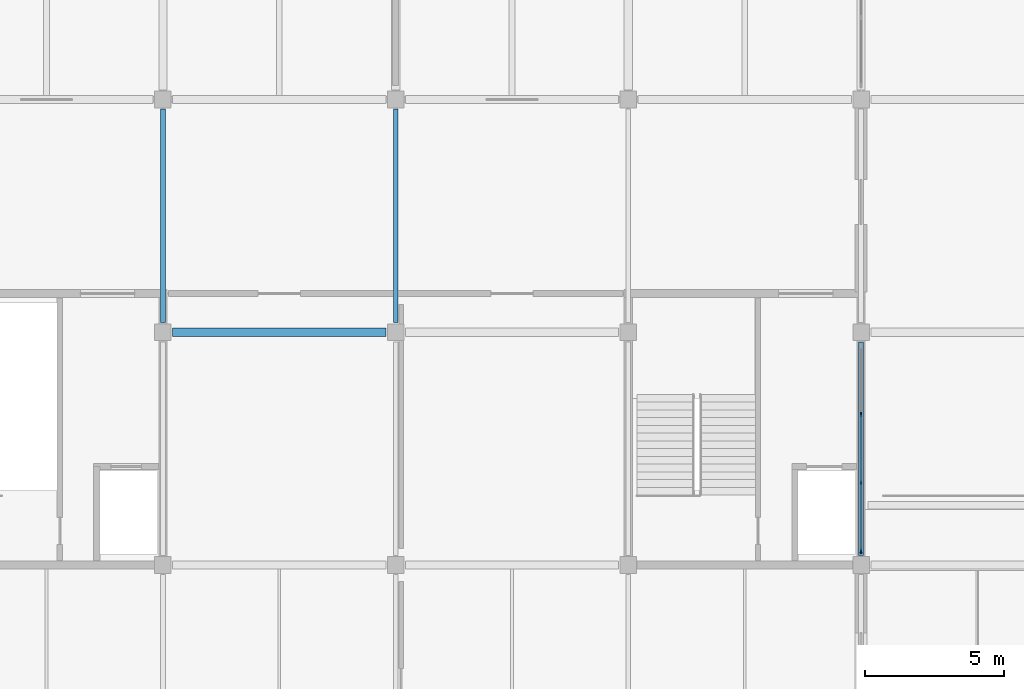
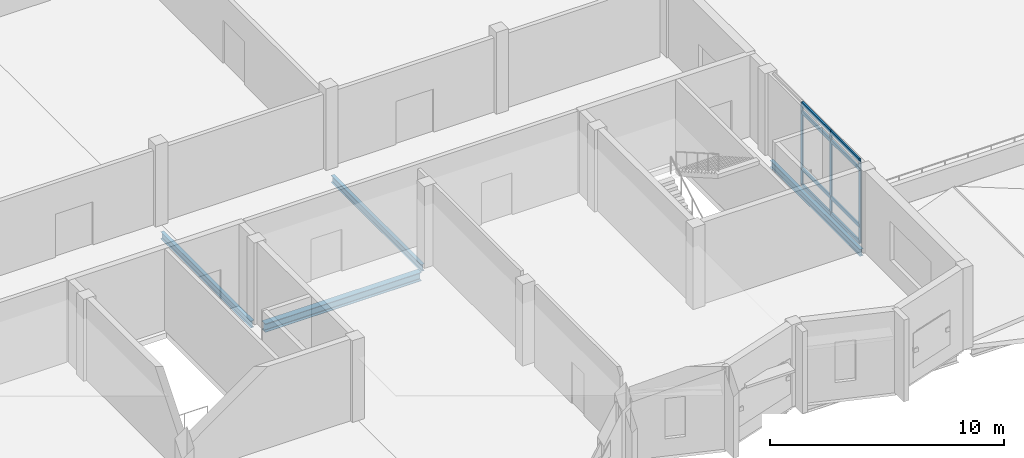
# One storey, part 19 of 81: 11 members, 4 beams, 1 element without a shape of its own.
"""IFC4 building model written with IfcOpenShell, lengths in metres."""

from ifc_helpers import new_model, si_unit, direction, frame, origin, origin_2d, place, context, subcontext, project, spatial, rectangle, i_section, extrude, material, layer, layer_set, material_profile, profile_set, type_object, element, aggregate, save


model = new_model("IFC4")

# Units and contexts
model_context = context("Model", 3, precision=1e-05, world=origin(), true_north=direction((0.0, 1.0)))
body_context = subcontext(model_context, "Body", "Model", "MODEL_VIEW")
ifc_project = project(units=[si_unit("LENGTHUNIT", "METRE"), si_unit("AREAUNIT", "SQUARE_METRE"), si_unit("VOLUMEUNIT", "CUBIC_METRE"), si_unit("PLANEANGLEUNIT", "RADIAN"), si_unit("MASSUNIT", "GRAM", prefix="KILO")], contexts=[model_context])

# Site, building, storey
site_placement = place(None, origin())
site = spatial("IfcSite", under=ifc_project, at=site_placement, CompositionType="ELEMENT")
building_placement = place(site_placement, origin())
building = spatial("IfcBuilding", under=site, at=building_placement, Name="Qawsi Khor Wholesale Market", CompositionType="ELEMENT")
storey_placement = place(building_placement, frame((0.0, 0.0, 16.199951171875)))
storey = spatial("IfcBuildingStorey", under=building, at=storey_placement, Name="L03", CompositionType="ELEMENT", Elevation=16.199951171875)

# Curtain wall, members
ifc_material_1 = material(Name="Aluminium Anodised Bronze", Category="aluminium")
ifc_layer = layer(ifc_material_1, 0.169921875, Name="Aluminium Anodised Bronze")
ifc_layer_set = layer_set([ifc_layer], Name="Aluminium Anodised Bronze")
curtain_wall_type = type_object("IfcCurtainWallType", Name="Central Court Gallery Curtain Wall CW-05", PredefinedType="NOTDEFINED", material=ifc_layer_set)
curtain_wall_placement = place(storey_placement, origin())
curtain_wall = element("IfcCurtainWall", 1, at=curtain_wall_placement, inside=storey, type_object=curtain_wall_type, Name="Curtain wall CW-CW-05-L03-070", PredefinedType="NOTDEFINED")
ifc_material_profile_1 = material_profile(ifc_material_1, rectangle(XDim=0.06005859375, YDim=0.159912109375, at=origin_2d()), Name="ALU MULLION 60x160")
ifc_profile_set_1 = profile_set([ifc_material_profile_1], Name="Aluminium Anodised Bronze")
member_type_1 = type_object("IfcMemberType", Name="Curtain Wall Mullion CW-05 ALU MULLION 60x160", PredefinedType="MULLION", material=ifc_profile_set_1)
member_1_placement = place(storey_placement, frame((126.0, 8.89990234375, -0.02001953125), z_axis=(0.0, 0.0, 1.0), x_axis=(1.0, 0.0, 0.0)))
member_1 = element("IfcMember", 2, at=member_1_placement, type_object=member_type_1, Name="Mullion CW-CW-05-L03-070-M00", PredefinedType="MULLION", context=body_context, shape_type="SweptSolid", body=[
    extrude(rectangle(XDim=0.06005859375, YDim=0.159912109375, at=origin_2d()), origin(), (0.0, 0.0, 1.0), 4.280029296875),
])
member_2_placement = place(storey_placement, frame((126.0, 11.36669921875, -0.02001953125), z_axis=(0.0, 0.0, 1.0), x_axis=(1.0, 0.0, 0.0)))
member_2 = element("IfcMember", 3, at=member_2_placement, type_object=member_type_1, Name="Mullion CW-CW-05-L03-070-M01", PredefinedType="MULLION", context=body_context, shape_type="SweptSolid", body=[
    extrude(rectangle(XDim=0.06005859375, YDim=0.159912109375, at=origin_2d()), origin(), (0.0, 0.0, 1.0), 4.280029296875),
])
member_3_placement = place(storey_placement, frame((126.0, 13.833251953125, -0.02001953125), z_axis=(0.0, 0.0, 1.0), x_axis=(1.0, 0.0, 0.0)))
member_3 = element("IfcMember", 4, at=member_3_placement, type_object=member_type_1, Name="Mullion CW-CW-05-L03-070-M02", PredefinedType="MULLION", context=body_context, shape_type="SweptSolid", body=[
    extrude(rectangle(XDim=0.06005859375, YDim=0.159912109375, at=origin_2d()), origin(), (0.0, 0.0, 1.0), 4.280029296875),
])
ifc_material_profile_2 = material_profile(ifc_material_1, rectangle(XDim=0.080078125, YDim=0.179931640625, at=origin_2d()), Name="ALU TRANSOM 80x180")
ifc_profile_set_2 = profile_set([ifc_material_profile_2], Name="Aluminium Anodised Bronze")
member_type_2 = type_object("IfcMemberType", Name="Curtain Wall Transom CW-05 ALU TRANSOM 80x180", PredefinedType="USERDEFINED", material=ifc_profile_set_2)
member_4_placement = place(storey_placement, frame((126.0, 8.89990234375, 0.0), z_axis=(0.0, 1.0, 0.0), x_axis=(-1.0, 0.0, 0.0)))
member_4 = element("IfcMember", 5, at=member_4_placement, type_object=member_type_2, Name="Transom CW-CW-05-L03-070-T0_00", ObjectType="TRANSOM", PredefinedType="USERDEFINED", context=body_context, shape_type="SweptSolid", body=[
    extrude(rectangle(XDim=0.080078125, YDim=0.179931640625, at=origin_2d()), origin(), (0.0, 0.0, 1.0), 2.466796875),
])
member_5_placement = place(storey_placement, frame((126.0, 11.36669921875, 0.0), z_axis=(0.0, 1.0, 0.0), x_axis=(-1.0, 0.0, 0.0)))
member_5 = element("IfcMember", 6, at=member_5_placement, type_object=member_type_2, Name="Transom CW-CW-05-L03-070-T0_01", ObjectType="TRANSOM", PredefinedType="USERDEFINED", context=body_context, shape_type="SweptSolid", body=[
    extrude(rectangle(XDim=0.080078125, YDim=0.179931640625, at=origin_2d()), origin(), (0.0, 0.0, 1.0), 2.466552734375),
])
member_6_placement = place(storey_placement, frame((126.0, 8.89990234375, 0.85009765625), z_axis=(0.0, 1.0, 0.0), x_axis=(-1.0, 0.0, 0.0)))
member_6 = element("IfcMember", 7, at=member_6_placement, type_object=member_type_2, Name="Transom CW-CW-05-L03-070-T1_00", ObjectType="TRANSOM", PredefinedType="USERDEFINED", context=body_context, shape_type="SweptSolid", body=[
    extrude(rectangle(XDim=0.080078125, YDim=0.179931640625, at=origin_2d()), origin(), (0.0, 0.0, 1.0), 2.466796875),
])
member_7_placement = place(storey_placement, frame((126.0, 11.36669921875, 0.85009765625), z_axis=(0.0, 1.0, 0.0), x_axis=(-1.0, 0.0, 0.0)))
member_7 = element("IfcMember", 8, at=member_7_placement, type_object=member_type_2, Name="Transom CW-CW-05-L03-070-T1_01", ObjectType="TRANSOM", PredefinedType="USERDEFINED", context=body_context, shape_type="SweptSolid", body=[
    extrude(rectangle(XDim=0.080078125, YDim=0.179931640625, at=origin_2d()), origin(), (0.0, 0.0, 1.0), 2.466552734375),
])
member_8_placement = place(storey_placement, frame((126.0, 8.89990234375, 3.81005859375), z_axis=(0.0, 1.0, 0.0), x_axis=(-1.0, 0.0, 0.0)))
member_8 = element("IfcMember", 9, at=member_8_placement, type_object=member_type_2, Name="Transom CW-CW-05-L03-070-T2_00", ObjectType="TRANSOM", PredefinedType="USERDEFINED", context=body_context, shape_type="SweptSolid", body=[
    extrude(rectangle(XDim=0.080078125, YDim=0.179931640625, at=origin_2d()), origin(), (0.0, 0.0, 1.0), 2.466796875),
])
member_9_placement = place(storey_placement, frame((126.0, 11.36669921875, 3.81005859375), z_axis=(0.0, 1.0, 0.0), x_axis=(-1.0, 0.0, 0.0)))
member_9 = element("IfcMember", 10, at=member_9_placement, type_object=member_type_2, Name="Transom CW-CW-05-L03-070-T2_01", ObjectType="TRANSOM", PredefinedType="USERDEFINED", context=body_context, shape_type="SweptSolid", body=[
    extrude(rectangle(XDim=0.080078125, YDim=0.179931640625, at=origin_2d()), origin(), (0.0, 0.0, 1.0), 2.466552734375),
])
member_10_placement = place(storey_placement, frame((126.0, 8.89990234375, 4.260009765625), z_axis=(0.0, 1.0, 0.0), x_axis=(-1.0, 0.0, 0.0)))
member_10 = element("IfcMember", 11, at=member_10_placement, type_object=member_type_2, Name="Transom CW-CW-05-L03-070-T3_00", ObjectType="TRANSOM", PredefinedType="USERDEFINED", context=body_context, shape_type="SweptSolid", body=[
    extrude(rectangle(XDim=0.080078125, YDim=0.179931640625, at=origin_2d()), origin(), (0.0, 0.0, 1.0), 2.466796875),
])
member_11_placement = place(storey_placement, frame((126.0, 11.36669921875, 4.260009765625), z_axis=(0.0, 1.0, 0.0), x_axis=(-1.0, 0.0, 0.0)))
member_11 = element("IfcMember", 12, at=member_11_placement, type_object=member_type_2, Name="Transom CW-CW-05-L03-070-T3_01", ObjectType="TRANSOM", PredefinedType="USERDEFINED", context=body_context, shape_type="SweptSolid", body=[
    extrude(rectangle(XDim=0.080078125, YDim=0.179931640625, at=origin_2d()), origin(), (0.0, 0.0, 1.0), 2.466552734375),
])
aggregate(curtain_wall, [member_1, member_2, member_3, member_4, member_5, member_6, member_7, member_8, member_9, member_10, member_11])

# Beams
ifc_material_2 = material(Name="Steel S355", Category="steel")
ifc_material_profile_3 = material_profile(ifc_material_2, i_section(OverallWidth=0.300048828125, OverallDepth=0.43994140625, WebThickness=0.011474609375, FlangeThickness=0.02099609375, FilletRadius=0.027099609375, at=origin_2d()), Name="HEA 450")
ifc_profile_set_3 = profile_set([ifc_material_profile_3], Name="Steel S355")
beam_type_1 = type_object("IfcBeamType", Name="Primary Girder HEA 450", PredefinedType="BEAM", material=ifc_profile_set_3)
beam_1_placement = place(storey_placement, frame((101.14990234375, 16.800048828125, -0.5), z_axis=(1.0, 0.0, 0.0), x_axis=(0.0, 1.0, 0.0)))
element("IfcBeam", 13, at=beam_1_placement, inside=storey, type_object=beam_type_1, Name="BM-X-L03-12_+02", PredefinedType="BEAM", context=body_context, shape_type="SweptSolid", body=[
    extrude(i_section(OverallWidth=0.300048828125, OverallDepth=0.43994140625, WebThickness=0.011474609375, FlangeThickness=0.02099609375, FilletRadius=0.027099609375, at=origin_2d()), origin(), (0.0, 0.0, 1.0), 7.7001953125),
])
ifc_material_profile_4 = material_profile(ifc_material_2, i_section(OverallWidth=0.169921875, OverallDepth=0.360107421875, WebThickness=0.008056640625, FlangeThickness=0.0126953125, FilletRadius=0.01806640625, at=origin_2d()), Name="IPE 360")
ifc_profile_set_4 = profile_set([ifc_material_profile_4], Name="Steel S355")
beam_type_2 = type_object("IfcBeamType", Name="Secondary Beam IPE 360", PredefinedType="BEAM", material=ifc_profile_set_4)
for number, where, z_axis, x_axis, name in (
    (14, (100.800048828125, 17.14990234375, -0.4599609375), (0.0, 1.0, 0.0), (-1.0, 0.0, 0.0), "BM-Y-L03-12_+02"),
    (15, (109.199951171875, 17.14990234375, -0.4599609375), (0.0, 1.0, 0.0), (-1.0, 0.0, 0.0), "BM-Y-L03-13_+02"),
):
    element("IfcBeam", number, at=place(storey_placement, frame(where, z_axis=z_axis, x_axis=x_axis)), inside=storey, type_object=beam_type_2, Name=name, PredefinedType="BEAM", context=body_context, shape_type="SweptSolid", body=[
        extrude(i_section(OverallWidth=0.169921875, OverallDepth=0.360107421875, WebThickness=0.008056640625, FlangeThickness=0.0126953125, FilletRadius=0.01806640625, at=origin_2d()), origin(), (0.0, 0.0, 1.0), 7.7001953125),
    ])
beam_2_placement = place(storey_placement, frame((126.0, 8.75, -0.4599609375), z_axis=(0.0, 1.0, 0.0), x_axis=(-1.0, 0.0, 0.0)))
element("IfcBeam", 16, at=beam_2_placement, inside=storey, type_object=beam_type_2, Name="BM-Y-L03-15_+01", PredefinedType="BEAM", context=body_context, shape_type="SweptSolid", body=[
    extrude(i_section(OverallWidth=0.169921875, OverallDepth=0.360107421875, WebThickness=0.008056640625, FlangeThickness=0.0126953125, FilletRadius=0.01806640625, at=origin_2d()), origin(), (0.0, 0.0, 1.0), 7.699951171875),
])

save(model, "model.ifc")
